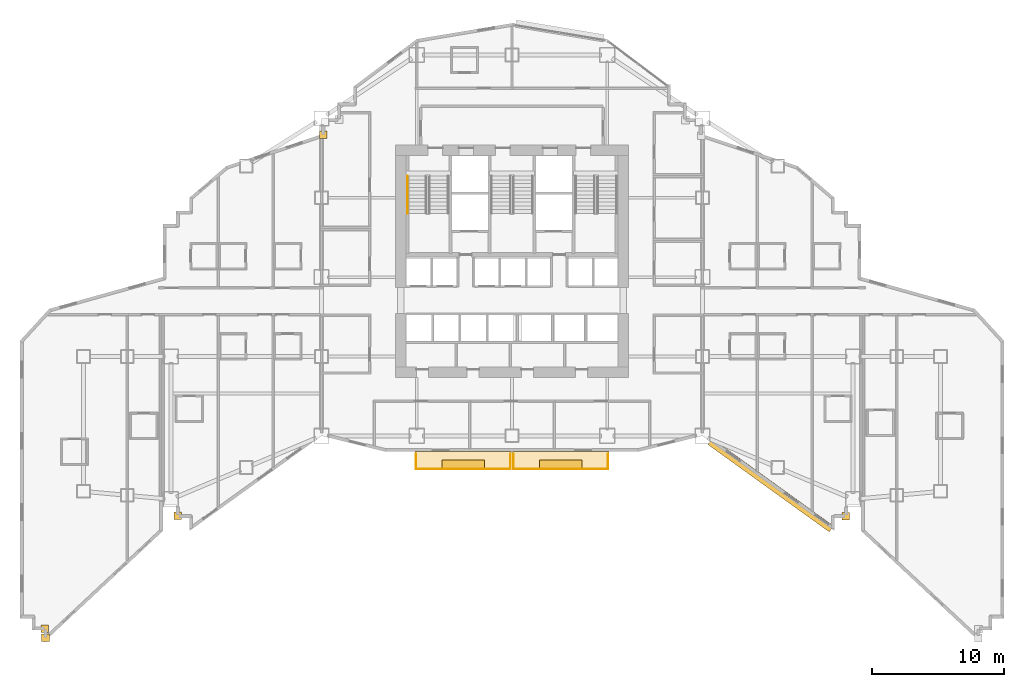
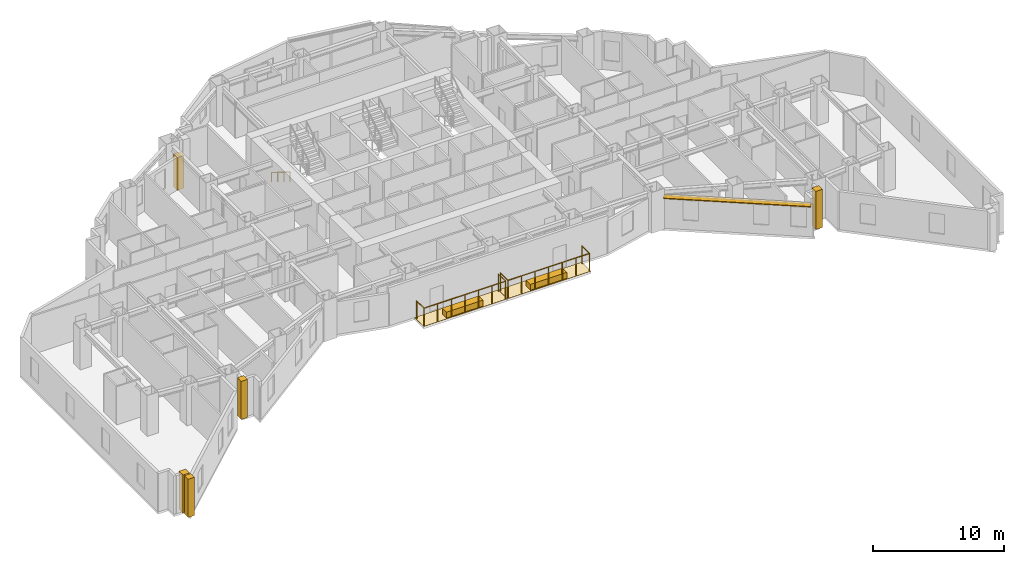
# One storey, part 14 of 16: 9 coverings, 5 railings, 1 shading device.
"""IFC4 building model written with IfcOpenShell, lengths in metres."""

from ifc_helpers import new_model, si_unit, direction, frame, origin, origin_2d, place, context, subcontext, project, spatial, polyline, rectangle, circle, outline, extrude, material, layer, layer_set, type_object, element, save


model = new_model("IFC4")

# Units and contexts
model_context = context("Model", 3, precision=1e-05, world=origin(), true_north=direction((0.0, 1.0)))
body_context = subcontext(model_context, "Body", "Model", "MODEL_VIEW")
ifc_project = project(units=[si_unit("LENGTHUNIT", "METRE"), si_unit("AREAUNIT", "SQUARE_METRE"), si_unit("VOLUMEUNIT", "CUBIC_METRE"), si_unit("PLANEANGLEUNIT", "RADIAN"), si_unit("MASSUNIT", "GRAM", prefix="KILO")], contexts=[model_context])

# Site, building, storey
site_placement = place(None, origin())
site = spatial("IfcSite", under=ifc_project, at=site_placement, CompositionType="ELEMENT")
building_placement = place(site_placement, origin())
building = spatial("IfcBuilding", under=site, at=building_placement, Name="Haolan Belvedere Tower", CompositionType="ELEMENT")
storey_placement = place(building_placement, frame((0.0, 0.0, 85.60009765625)))
storey = spatial("IfcBuildingStorey", under=building, at=storey_placement, Name="L21", CompositionType="ELEMENT", Elevation=85.60009765625)

# Coverings
ifc_material_1 = material(Name="Pale champagne-silver anodised aluminium rainscreen cladding", Category="aluminium")
ifc_layer_1 = layer(ifc_material_1, 0.034912109375, Name="Pale champagne-silver anodised aluminium rainscreen cladding")
ifc_layer_set_1 = layer_set([ifc_layer_1], Name="Pale champagne-silver anodised aluminium rainscreen cladding")
covering_type_1 = type_object("IfcCoveringType", Name="COV-CLAD-35", PredefinedType="CLADDING", material=ifc_layer_set_1)
for number, where, z_axis, x_axis, name in (
    (1, (3.077392578125, 7.02001953125, 0.0), (0.0, 0.0, 1.0), (1.0, 0.0, 0.0), "L21 pale-metal serrated corner cladding trim 1"),
    (2, (3.1201171875, 6.318603515625, 0.0), (0.0, 0.0, 1.0), (1.0, 0.0, 0.0), "L21 pale-metal serrated corner cladding trim 2"),
    (3, (13.1201171875, 15.5625, 0.0), (0.0, 0.0, 1.0), (1.0, 0.0, 0.0), "L21 pale-metal serrated corner cladding trim 3"),
    (4, (63.637451171875, 15.52001953125, 0.0), (0.0, 0.0, 1.0), (1.0, 0.0, 0.0), "L21 pale-metal serrated corner cladding trim 4"),
):
    element("IfcCovering", number, at=place(storey_placement, frame(where, z_axis=z_axis, x_axis=x_axis)), inside=storey, type_object=covering_type_1, Name=name, PredefinedType="CLADDING", context=body_context, shape_type="SweptSolid", body=[
        extrude(rectangle(XDim=0.580078125, YDim=0.580078125, at=origin_2d()), origin(), (0.0, 0.0, 1.0), 3.5400390625),
    ])
covering_1_placement = place(storey_placement, frame((24.1201171875, 44.35595703125, -0.000244140625), z_axis=(0.0, 0.0, 1.0), x_axis=(1.0, 0.0, 0.0)))
element("IfcCovering", 5, at=covering_1_placement, inside=storey, type_object=covering_type_1, Name="L21 pale-metal serrated corner cladding trim 10", PredefinedType="CLADDING", context=body_context, shape_type="SweptSolid", body=[
    extrude(rectangle(XDim=0.580078125, YDim=0.580078125, at=origin_2d()), origin(), (0.0, 0.0, 1.0), 3.037109375),
])
ifc_material_2 = material(Name="Engineered lightweight planted garden soil substrate", Category="masonry")
ifc_layer_2 = layer(ifc_material_2, 0.550048828125, Name="Engineered lightweight planted garden soil substrate")
ifc_layer_set_2 = layer_set([ifc_layer_2], Name="Engineered lightweight planted garden soil substrate")
covering_type_2 = type_object("IfcCoveringType", Name="COV-PLANT-550", PredefinedType="MEMBRANE", material=ifc_layer_set_2)
for number, where, z_axis, x_axis, name in (
    (6, (34.715087890625, 19.43994140625, 0.0), (0.0, 0.0, 1.0), (1.0, 0.0, 0.0), "L21 structural tree balcony PLANTER box 1"),
    (7, (42.0849609375, 19.43994140625, 0.0), (0.0, 0.0, 1.0), (1.0, 0.0, 0.0), "L21 structural tree balcony PLANTER box 2"),
):
    element("IfcCovering", number, at=place(storey_placement, frame(where, z_axis=z_axis, x_axis=x_axis)), inside=storey, type_object=covering_type_2, Name=name, PredefinedType="MEMBRANE", context=body_context, shape_type="SweptSolid", body=[
        extrude(rectangle(XDim=3.199951171875, YDim=0.64990234375, at=origin_2d()), origin(), (0.0, 0.0, 1.0), 0.550048828125),
    ])
ifc_material_3 = material(Name="Elastomeric waterproof roofing membrane and stone pavers", Category="masonry")
ifc_layer_3 = layer(ifc_material_3, 0.02001953125, Name="Elastomeric waterproof roofing membrane and stone pavers")
ifc_layer_set_3 = layer_set([ifc_layer_3], Name="Elastomeric waterproof roofing membrane and stone pavers")
covering_type_3 = type_object("IfcCoveringType", Name="COV-ROOF-20", PredefinedType="ROOFING", material=ifc_layer_set_3)
covering_2_placement = place(storey_placement, frame((0.0, 0.0, -0.02001953125)))
element("IfcCovering", 8, at=covering_2_placement, inside=storey, type_object=covering_type_3, Name="L21 tree-balcony waterproof membrane 1", PredefinedType="ROOFING", context=body_context, shape_type="SweptSolid", body=[
    extrude(outline(polyline([(31.050048828125, 19.02001953125), (38.3798828125, 19.02001953125), (38.3798828125, 20.39990234375), (31.050048828125, 20.39990234375), (31.050048828125, 19.02001953125)])), origin(), (0.0, 0.0, 1.0), 0.02001953125),
])
covering_3_placement = place(storey_placement, frame((0.0, 0.0, -0.02001953125)))
element("IfcCovering", 9, at=covering_3_placement, inside=storey, type_object=covering_type_3, Name="L21 tree-balcony waterproof membrane 2", PredefinedType="ROOFING", context=body_context, shape_type="SweptSolid", body=[
    extrude(outline(polyline([(38.419921875, 19.02001953125), (45.75, 19.02001953125), (45.75, 20.39990234375), (38.419921875, 20.39990234375), (38.419921875, 19.02001953125)])), origin(), (0.0, 0.0, 1.0), 0.02001953125),
])

# Railings
ifc_material_4 = material(Name="Brushed stainless steel 304", Category="steel")
railing_type_1 = type_object("IfcRailingType", Name="RL-STAIR-HND-900", PredefinedType="HANDRAIL", material=ifc_material_4)
railing_1_placement = place(storey_placement, frame((30.5, 41.22998046875, 0.172607421875)))
element("IfcRailing", 10, at=railing_1_placement, inside=storey, type_object=railing_type_1, Name="L21 ST1 stair handrail 1", PredefinedType="HANDRAIL", context=body_context, shape_type="SweptSolid", body=[
    extrude(circle(Radius=0.02392578125, at=origin_2d()), frame((0.0, 0.0, 0.8759765625), z_axis=(0.0, -0.851089632645, 0.525020415988), x_axis=(1.0, 0.0, 0.0)), (0.0, 0.0, 1.0), 3.2900390625),
    extrude(circle(Radius=0.02099609375, at=origin_2d()), origin(), (0.0, 0.0, 1.0), 0.851806640625),
    extrude(circle(Radius=0.02099609375, at=origin_2d()), frame((0.0, -0.933349609375, 0.57568359375)), (0.0, 0.0, 1.0), 0.851806640625),
    extrude(circle(Radius=0.02099609375, at=origin_2d()), frame((0.0, -1.86669921875, 1.151611328125)), (0.0, 0.0, 1.0), 0.851806640625),
    extrude(circle(Radius=0.02099609375, at=origin_2d()), frame((0.0, -2.800048828125, 1.727294921875)), (0.0, 0.0, 1.0), 0.851806640625),
])
ifc_material_5 = material(Name="Anodised aluminium and laminated glass balustrade", Category="aluminium")
railing_type_2 = type_object("IfcRailingType", Name="RL-TER-BAL-1150", PredefinedType="BALUSTRADE", material=ifc_material_5)
railing_2_placement = place(storey_placement, frame((31.1298828125, 19.10009765625, 0.0)))
element("IfcRailing", 11, at=railing_2_placement, inside=storey, type_object=railing_type_2, Name="L21 outdoor perimeter balustrade BAL-L21-1-1", PredefinedType="BALUSTRADE", context=body_context, shape_type="SweptSolid", body=[
    extrude(circle(Radius=0.02392578125, at=origin_2d()), frame((0.0, 0.0, 1.6259765625), z_axis=(0.0, 1.0, 0.0), x_axis=(-1.0, 0.0, 0.0)), (0.0, 0.0, 1.0), 1.119873046875),
    extrude(circle(Radius=0.02099609375, at=origin_2d()), origin(), (0.0, 0.0, 1.0), 1.601806640625),
    extrude(circle(Radius=0.02099609375, at=origin_2d()), frame((0.0, 1.119873046875, 0.0)), (0.0, 0.0, 1.0), 1.601806640625),
])
railing_3_placement = place(storey_placement, frame((38.300048828125, 20.219970703125, 0.0)))
element("IfcRailing", 12, at=railing_3_placement, inside=storey, type_object=railing_type_2, Name="L21 outdoor perimeter balustrade BAL-L21-1-2", PredefinedType="BALUSTRADE", context=body_context, shape_type="SweptSolid", body=[
    extrude(circle(Radius=0.02392578125, at=origin_2d()), frame((0.0, 0.0, 1.6259765625), z_axis=(0.0, -1.0, 0.0), x_axis=(1.0, 0.0, 0.0)), (0.0, 0.0, 1.0), 1.119873046875),
    extrude(circle(Radius=0.02392578125, at=origin_2d()), frame((0.0, -1.119873046875, 1.6259765625), z_axis=(-1.0, 0.0, 0.0), x_axis=(0.0, -1.0, 0.0)), (0.0, 0.0, 1.0), 7.170166015625),
    extrude(circle(Radius=0.02099609375, at=origin_2d()), origin(), (0.0, 0.0, 1.0), 1.601806640625),
    extrude(circle(Radius=0.02099609375, at=origin_2d()), frame((0.0, -1.119873046875, 0.0)), (0.0, 0.0, 1.0), 1.601806640625),
    extrude(circle(Radius=0.02099609375, at=origin_2d()), frame((-1.195068359375, -1.119873046875, 0.0)), (0.0, 0.0, 1.0), 1.601806640625),
    extrude(circle(Radius=0.02099609375, at=origin_2d()), frame((-2.39013671875, -1.119873046875, 0.0)), (0.0, 0.0, 1.0), 1.601806640625),
    extrude(circle(Radius=0.02099609375, at=origin_2d()), frame((-3.5849609375, -1.119873046875, 0.0)), (0.0, 0.0, 1.0), 1.601806640625),
    extrude(circle(Radius=0.02099609375, at=origin_2d()), frame((-4.780029296875, -1.119873046875, 0.0)), (0.0, 0.0, 1.0), 1.601806640625),
    extrude(circle(Radius=0.02099609375, at=origin_2d()), frame((-5.97509765625, -1.119873046875, 0.0)), (0.0, 0.0, 1.0), 1.601806640625),
    extrude(circle(Radius=0.02099609375, at=origin_2d()), frame((-7.170166015625, -1.119873046875, 0.0)), (0.0, 0.0, 1.0), 1.601806640625),
])
railing_4_placement = place(storey_placement, frame((38.5, 19.10009765625, 0.0)))
element("IfcRailing", 13, at=railing_4_placement, inside=storey, type_object=railing_type_2, Name="L21 outdoor perimeter balustrade BAL-L21-2-1", PredefinedType="BALUSTRADE", context=body_context, shape_type="SweptSolid", body=[
    extrude(circle(Radius=0.02392578125, at=origin_2d()), frame((0.0, 0.0, 1.6259765625), z_axis=(0.0, 1.0, 0.0), x_axis=(-1.0, 0.0, 0.0)), (0.0, 0.0, 1.0), 1.119873046875),
    extrude(circle(Radius=0.02099609375, at=origin_2d()), origin(), (0.0, 0.0, 1.0), 1.601806640625),
    extrude(circle(Radius=0.02099609375, at=origin_2d()), frame((0.0, 1.119873046875, 0.0)), (0.0, 0.0, 1.0), 1.601806640625),
])
railing_5_placement = place(storey_placement, frame((45.669921875, 20.219970703125, 0.0)))
element("IfcRailing", 14, at=railing_5_placement, inside=storey, type_object=railing_type_2, Name="L21 outdoor perimeter balustrade BAL-L21-2-2", PredefinedType="BALUSTRADE", context=body_context, shape_type="SweptSolid", body=[
    extrude(circle(Radius=0.02392578125, at=origin_2d()), frame((0.0, 0.0, 1.6259765625), z_axis=(0.0, -1.0, 0.0), x_axis=(1.0, 0.0, 0.0)), (0.0, 0.0, 1.0), 1.119873046875),
    extrude(circle(Radius=0.02392578125, at=origin_2d()), frame((0.0, -1.119873046875, 1.6259765625), z_axis=(-1.0, 0.0, 0.0), x_axis=(0.0, -1.0, 0.0)), (0.0, 0.0, 1.0), 7.169921875),
    extrude(circle(Radius=0.02099609375, at=origin_2d()), origin(), (0.0, 0.0, 1.0), 1.601806640625),
    extrude(circle(Radius=0.02099609375, at=origin_2d()), frame((0.0, -1.119873046875, 0.0)), (0.0, 0.0, 1.0), 1.601806640625),
    extrude(circle(Radius=0.02099609375, at=origin_2d()), frame((-1.195068359375, -1.119873046875, 0.0)), (0.0, 0.0, 1.0), 1.601806640625),
    extrude(circle(Radius=0.02099609375, at=origin_2d()), frame((-2.389892578125, -1.119873046875, 0.0)), (0.0, 0.0, 1.0), 1.601806640625),
    extrude(circle(Radius=0.02099609375, at=origin_2d()), frame((-3.5849609375, -1.119873046875, 0.0)), (0.0, 0.0, 1.0), 1.601806640625),
    extrude(circle(Radius=0.02099609375, at=origin_2d()), frame((-4.780029296875, -1.119873046875, 0.0)), (0.0, 0.0, 1.0), 1.601806640625),
    extrude(circle(Radius=0.02099609375, at=origin_2d()), frame((-5.974853515625, -1.119873046875, 0.0)), (0.0, 0.0, 1.0), 1.601806640625),
    extrude(circle(Radius=0.02099609375, at=origin_2d()), frame((-7.169921875, -1.119873046875, 0.0)), (0.0, 0.0, 1.0), 1.601806640625),
])

# Shading device
ifc_material_6 = material(Name="Anodised champagne-silver aluminium 6063-T6", Category="aluminium")
ifc_layer_4 = layer(ifc_material_6, 0.080078125, Name="Anodised champagne-silver aluminium 6063-T6")
ifc_layer_set_4 = layer_set([ifc_layer_4], Name="Anodised champagne-silver aluminium 6063-T6")
shading_device_type = type_object("IfcShadingDeviceType", Name="SHD-SUN-550", PredefinedType="USERDEFINED", material=ifc_layer_set_4)
shading_device_placement = place(storey_placement, frame((57.964111328125, 17.857421875, 2.936767578125), z_axis=(0.0, 0.0, 1.0), x_axis=(0.811533191666, -0.584306322766, 0.0)))
element("IfcShadingDevice", 15, at=shading_device_placement, inside=storey, type_object=shading_device_type, Name="L21 pale-metal horizontal SUNSHADE band 15.1", ObjectType="SUNSHADE", PredefinedType="USERDEFINED", context=body_context, shape_type="SweptSolid", body=[
    extrude(rectangle(XDim=11.290771484375, YDim=0.550048828125, at=origin_2d()), origin(), (0.0, 0.0, 1.0), 0.080078125),
])

save(model, "model.ifc")
